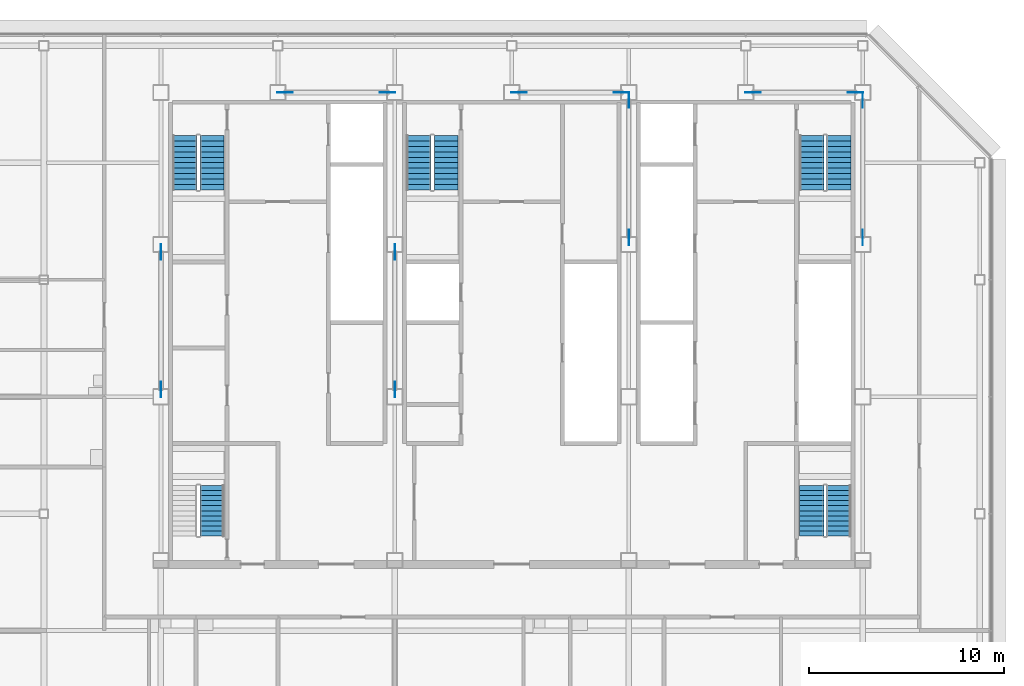
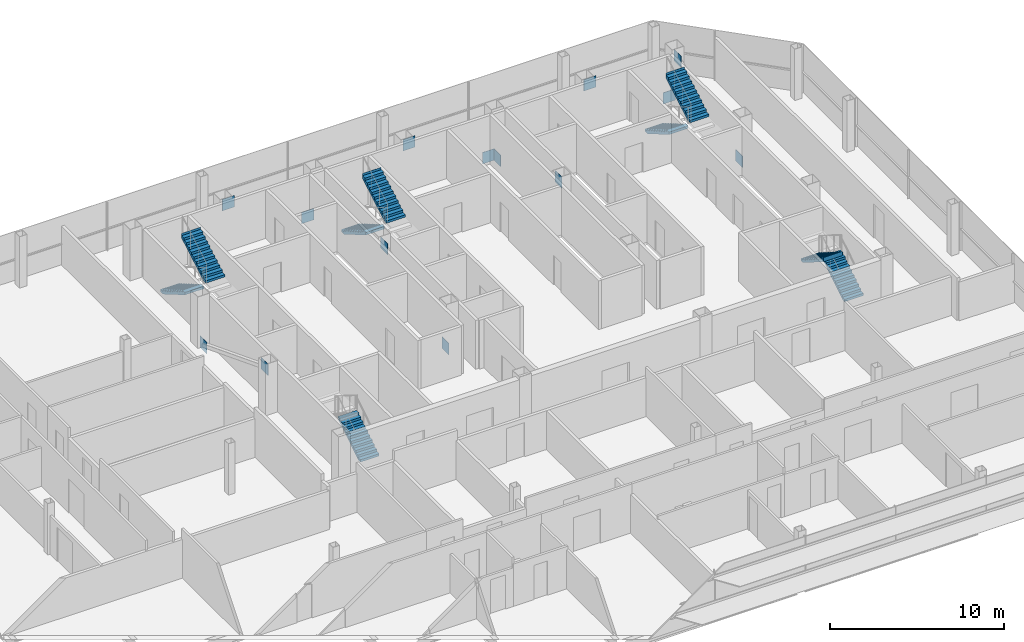
# One storey, part 25 of 27: 14 discrete accessories, 9 stair flights, 5 elements without a shape of their own.
"""IFC4 building model written with IfcOpenShell, lengths in metres."""

from ifc_helpers import new_model, si_unit, direction, frame, origin, origin_2d, place, context, subcontext, project, spatial, polyline, rectangle, outline, extrude, material, layer, layer_set, type_object, element, aggregate, save


model = new_model("IFC4")

# Units and contexts
model_context = context("Model", 3, precision=1e-05, world=origin(), true_north=direction((0.0, 1.0)))
body_context = subcontext(model_context, "Body", "Model", "MODEL_VIEW")
ifc_project = project(units=[si_unit("LENGTHUNIT", "METRE"), si_unit("AREAUNIT", "SQUARE_METRE"), si_unit("VOLUMEUNIT", "CUBIC_METRE"), si_unit("PLANEANGLEUNIT", "RADIAN"), si_unit("MASSUNIT", "GRAM", prefix="KILO")], contexts=[model_context])

# Site, building, storey
site_placement = place(None, origin())
site = spatial("IfcSite", under=ifc_project, at=site_placement, CompositionType="ELEMENT")
building_placement = place(site_placement, origin())
building = spatial("IfcBuilding", under=site, at=building_placement, Name="Sorahane Residences", CompositionType="ELEMENT")
storey_placement = place(building_placement, frame((0.0, 0.0, 323.199951171875)))
storey = spatial("IfcBuildingStorey", under=building, at=storey_placement, Name="L77", CompositionType="ELEMENT", Elevation=323.199951171875)

# Stair, stair flights
ifc_material_1 = material(Name="Concrete C40", Category="concrete")
stair_type = type_object("IfcStairType", Name="Dog-leg stair 1250 Concrete C40", PredefinedType="HALF_TURN_STAIR", material=ifc_material_1)
stair_1_placement = place(storey_placement, origin())
stair_1 = element("IfcStair", 1, at=stair_1_placement, inside=storey, type_object=stair_type, Name="L77 Stair S1", PredefinedType="HALF_TURN_STAIR")
ifc_material_2 = material(Name="Concrete C40", Category="concrete")
stair_flight_type = type_object("IfcStairFlightType", Name="Stair flight 1250 Concrete C40", PredefinedType="STRAIGHT", material=ifc_material_2)
stair_flight_1_placement = place(storey_placement, frame((7.22509765625, 43.39990234375, 0.0), z_axis=(0.0, 0.0, 1.0), x_axis=(0.0, -1.0, 0.0)))
stair_flight_1 = element("IfcStairFlight", 2, at=stair_flight_1_placement, type_object=stair_flight_type, Name="S1 flight 1", NumberOfRisers=11, NumberOfTreads=10, PredefinedType="STRAIGHT", RiserHeight=0.163636364, TreadLength=0.28, context=body_context, shape_type="SweptSolid", body=[
    extrude(outline(polyline([(-0.00146484375, 0.0), (-0.00146484375, 0.16357421875), (0.0, 0.16357421875), (0.280029296875, 0.16357421875), (0.280029296875, 0.327392578125), (0.56005859375, 0.327392578125), (0.56005859375, 0.490966796875), (0.840087890625, 0.490966796875), (0.840087890625, 0.654541015625), (1.1201171875, 0.654541015625), (1.1201171875, 0.818115234375), (1.39990234375, 0.818115234375), (1.39990234375, 0.98193359375), (1.679931640625, 0.98193359375), (1.679931640625, 1.1455078125), (1.9599609375, 1.1455078125), (1.9599609375, 1.30908203125), (2.239990234375, 1.30908203125), (2.239990234375, 1.47265625), (2.52001953125, 1.47265625), (2.52001953125, 1.636474609375), (2.800048828125, 1.636474609375), (2.800048828125, 1.800048828125), (2.800048828125, 1.462646484375), (2.59130859375, 1.3408203125), (2.3828125, 1.218994140625), (2.17431640625, 1.09716796875), (1.965576171875, 0.97509765625), (1.757080078125, 0.853271484375), (1.548583984375, 0.7314453125), (1.340087890625, 0.609375), (1.13134765625, 0.487548828125), (0.9228515625, 0.36572265625), (0.71435546875, 0.243896484375), (0.505615234375, 0.121826171875), (0.297119140625, 0.0), (-0.00146484375, 0.0)])), frame((0.0, 0.625, 0.0), z_axis=(0.0, -1.0, 0.0), x_axis=(1.0, 0.0, 0.0)), (0.0, 0.0, 1.0), 1.25),
])
stair_flight_2_placement = place(storey_placement, frame((8.625, 40.60009765625, 1.800048828125), z_axis=(0.0, 0.0, 1.0), x_axis=(0.0, 1.0, 0.0)))
stair_flight_2 = element("IfcStairFlight", 3, at=stair_flight_2_placement, type_object=stair_flight_type, Name="S1 flight 2", NumberOfRisers=11, NumberOfTreads=10, PredefinedType="STRAIGHT", RiserHeight=0.163636364, TreadLength=0.28, context=body_context, shape_type="SweptSolid", body=[
    extrude(outline(polyline([(0.0, 0.0), (0.0, 0.16357421875), (0.280029296875, 0.16357421875), (0.280029296875, 0.327392578125), (0.56005859375, 0.327392578125), (0.56005859375, 0.490966796875), (0.840087890625, 0.490966796875), (0.840087890625, 0.654541015625), (1.1201171875, 0.654541015625), (1.1201171875, 0.818115234375), (1.39990234375, 0.818115234375), (1.39990234375, 0.98193359375), (1.679931640625, 0.98193359375), (1.679931640625, 1.1455078125), (1.9599609375, 1.1455078125), (1.9599609375, 1.30908203125), (2.239990234375, 1.30908203125), (2.239990234375, 1.47265625), (2.52001953125, 1.47265625), (2.52001953125, 1.636474609375), (2.800048828125, 1.636474609375), (2.800048828125, 1.800048828125), (2.801513671875, 1.800048828125), (2.801513671875, 1.462646484375), (2.5927734375, 1.3408203125), (2.384033203125, 1.218994140625), (2.17529296875, 1.09716796875), (1.966796875, 0.97509765625), (1.758056640625, 0.853271484375), (1.54931640625, 0.7314453125), (1.340576171875, 0.609375), (1.1318359375, 0.487548828125), (0.923095703125, 0.36572265625), (0.714599609375, 0.243896484375), (0.505859375, 0.121826171875), (0.297119140625, 0.0), (0.0, 0.0)])), frame((0.0, 0.625, 0.0), z_axis=(0.0, -1.0, 0.0), x_axis=(1.0, 0.0, 0.0)), (0.0, 0.0, 1.0), 1.25),
])
aggregate(stair_1, [stair_flight_1, stair_flight_2])

stair_2_placement = place(storey_placement, origin())
stair_2 = element("IfcStair", 4, at=stair_2_placement, inside=storey, type_object=stair_type, Name="L77 Stair S2", PredefinedType="HALF_TURN_STAIR")
stair_flight_3_placement = place(storey_placement, frame((39.375, 43.39990234375, 0.0), z_axis=(0.0, 0.0, 1.0), x_axis=(0.0, -1.0, 0.0)))
stair_flight_3 = element("IfcStairFlight", 5, at=stair_flight_3_placement, type_object=stair_flight_type, Name="S2 flight 1", NumberOfRisers=11, NumberOfTreads=10, PredefinedType="STRAIGHT", RiserHeight=0.163636364, TreadLength=0.28, context=body_context, shape_type="SweptSolid", body=[
    extrude(outline(polyline([(-0.00146484375, 0.0), (-0.00146484375, 0.16357421875), (0.0, 0.16357421875), (0.280029296875, 0.16357421875), (0.280029296875, 0.327392578125), (0.56005859375, 0.327392578125), (0.56005859375, 0.490966796875), (0.840087890625, 0.490966796875), (0.840087890625, 0.654541015625), (1.1201171875, 0.654541015625), (1.1201171875, 0.818115234375), (1.39990234375, 0.818115234375), (1.39990234375, 0.98193359375), (1.679931640625, 0.98193359375), (1.679931640625, 1.1455078125), (1.9599609375, 1.1455078125), (1.9599609375, 1.30908203125), (2.239990234375, 1.30908203125), (2.239990234375, 1.47265625), (2.52001953125, 1.47265625), (2.52001953125, 1.636474609375), (2.800048828125, 1.636474609375), (2.800048828125, 1.800048828125), (2.800048828125, 1.462646484375), (2.59130859375, 1.3408203125), (2.3828125, 1.218994140625), (2.17431640625, 1.09716796875), (1.965576171875, 0.97509765625), (1.757080078125, 0.853271484375), (1.548583984375, 0.7314453125), (1.340087890625, 0.609375), (1.13134765625, 0.487548828125), (0.9228515625, 0.36572265625), (0.71435546875, 0.243896484375), (0.505615234375, 0.121826171875), (0.297119140625, 0.0), (-0.00146484375, 0.0)])), frame((0.0, 0.625, 0.0), z_axis=(0.0, -1.0, 0.0), x_axis=(1.0, 0.0, 0.0)), (0.0, 0.0, 1.0), 1.25),
])
stair_flight_4_placement = place(storey_placement, frame((40.77490234375, 40.60009765625, 1.800048828125), z_axis=(0.0, 0.0, 1.0), x_axis=(0.0, 1.0, 0.0)))
stair_flight_4 = element("IfcStairFlight", 6, at=stair_flight_4_placement, type_object=stair_flight_type, Name="S2 flight 2", NumberOfRisers=11, NumberOfTreads=10, PredefinedType="STRAIGHT", RiserHeight=0.163636364, TreadLength=0.28, context=body_context, shape_type="SweptSolid", body=[
    extrude(outline(polyline([(0.0, 0.0), (0.0, 0.16357421875), (0.280029296875, 0.16357421875), (0.280029296875, 0.327392578125), (0.56005859375, 0.327392578125), (0.56005859375, 0.490966796875), (0.840087890625, 0.490966796875), (0.840087890625, 0.654541015625), (1.1201171875, 0.654541015625), (1.1201171875, 0.818115234375), (1.39990234375, 0.818115234375), (1.39990234375, 0.98193359375), (1.679931640625, 0.98193359375), (1.679931640625, 1.1455078125), (1.9599609375, 1.1455078125), (1.9599609375, 1.30908203125), (2.239990234375, 1.30908203125), (2.239990234375, 1.47265625), (2.52001953125, 1.47265625), (2.52001953125, 1.636474609375), (2.800048828125, 1.636474609375), (2.800048828125, 1.800048828125), (2.801513671875, 1.800048828125), (2.801513671875, 1.462646484375), (2.5927734375, 1.3408203125), (2.384033203125, 1.218994140625), (2.17529296875, 1.09716796875), (1.966796875, 0.97509765625), (1.758056640625, 0.853271484375), (1.54931640625, 0.7314453125), (1.340576171875, 0.609375), (1.1318359375, 0.487548828125), (0.923095703125, 0.36572265625), (0.714599609375, 0.243896484375), (0.505859375, 0.121826171875), (0.297119140625, 0.0), (0.0, 0.0)])), frame((0.0, 0.625, 0.0), z_axis=(0.0, -1.0, 0.0), x_axis=(1.0, 0.0, 0.0)), (0.0, 0.0, 1.0), 1.25),
])
aggregate(stair_2, [stair_flight_3, stair_flight_4])

stair_3_placement = place(storey_placement, origin())
stair_3 = element("IfcStair", 7, at=stair_3_placement, inside=storey, type_object=stair_type, Name="L77 Stair S3", PredefinedType="HALF_TURN_STAIR")
stair_flight_5_placement = place(storey_placement, frame((19.22509765625, 43.39990234375, 0.0), z_axis=(0.0, 0.0, 1.0), x_axis=(0.0, -1.0, 0.0)))
stair_flight_5 = element("IfcStairFlight", 8, at=stair_flight_5_placement, type_object=stair_flight_type, Name="S3 flight 1", NumberOfRisers=11, NumberOfTreads=10, PredefinedType="STRAIGHT", RiserHeight=0.163636364, TreadLength=0.28, context=body_context, shape_type="SweptSolid", body=[
    extrude(outline(polyline([(-0.00146484375, 0.0), (-0.00146484375, 0.16357421875), (0.0, 0.16357421875), (0.280029296875, 0.16357421875), (0.280029296875, 0.327392578125), (0.56005859375, 0.327392578125), (0.56005859375, 0.490966796875), (0.840087890625, 0.490966796875), (0.840087890625, 0.654541015625), (1.1201171875, 0.654541015625), (1.1201171875, 0.818115234375), (1.39990234375, 0.818115234375), (1.39990234375, 0.98193359375), (1.679931640625, 0.98193359375), (1.679931640625, 1.1455078125), (1.9599609375, 1.1455078125), (1.9599609375, 1.30908203125), (2.239990234375, 1.30908203125), (2.239990234375, 1.47265625), (2.52001953125, 1.47265625), (2.52001953125, 1.636474609375), (2.800048828125, 1.636474609375), (2.800048828125, 1.800048828125), (2.800048828125, 1.462646484375), (2.59130859375, 1.3408203125), (2.3828125, 1.218994140625), (2.17431640625, 1.09716796875), (1.965576171875, 0.97509765625), (1.757080078125, 0.853271484375), (1.548583984375, 0.7314453125), (1.340087890625, 0.609375), (1.13134765625, 0.487548828125), (0.9228515625, 0.36572265625), (0.71435546875, 0.243896484375), (0.505615234375, 0.121826171875), (0.297119140625, 0.0), (-0.00146484375, 0.0)])), frame((0.0, 0.625, 0.0), z_axis=(0.0, -1.0, 0.0), x_axis=(1.0, 0.0, 0.0)), (0.0, 0.0, 1.0), 1.25),
])
stair_flight_6_placement = place(storey_placement, frame((20.625, 40.60009765625, 1.800048828125), z_axis=(0.0, 0.0, 1.0), x_axis=(0.0, 1.0, 0.0)))
stair_flight_6 = element("IfcStairFlight", 9, at=stair_flight_6_placement, type_object=stair_flight_type, Name="S3 flight 2", NumberOfRisers=11, NumberOfTreads=10, PredefinedType="STRAIGHT", RiserHeight=0.163636364, TreadLength=0.28, context=body_context, shape_type="SweptSolid", body=[
    extrude(outline(polyline([(0.0, 0.0), (0.0, 0.16357421875), (0.280029296875, 0.16357421875), (0.280029296875, 0.327392578125), (0.56005859375, 0.327392578125), (0.56005859375, 0.490966796875), (0.840087890625, 0.490966796875), (0.840087890625, 0.654541015625), (1.1201171875, 0.654541015625), (1.1201171875, 0.818115234375), (1.39990234375, 0.818115234375), (1.39990234375, 0.98193359375), (1.679931640625, 0.98193359375), (1.679931640625, 1.1455078125), (1.9599609375, 1.1455078125), (1.9599609375, 1.30908203125), (2.239990234375, 1.30908203125), (2.239990234375, 1.47265625), (2.52001953125, 1.47265625), (2.52001953125, 1.636474609375), (2.800048828125, 1.636474609375), (2.800048828125, 1.800048828125), (2.801513671875, 1.800048828125), (2.801513671875, 1.462646484375), (2.5927734375, 1.3408203125), (2.384033203125, 1.218994140625), (2.17529296875, 1.09716796875), (1.966796875, 0.97509765625), (1.758056640625, 0.853271484375), (1.54931640625, 0.7314453125), (1.340576171875, 0.609375), (1.1318359375, 0.487548828125), (0.923095703125, 0.36572265625), (0.714599609375, 0.243896484375), (0.505859375, 0.121826171875), (0.297119140625, 0.0), (0.0, 0.0)])), frame((0.0, 0.625, 0.0), z_axis=(0.0, -1.0, 0.0), x_axis=(1.0, 0.0, 0.0)), (0.0, 0.0, 1.0), 1.25),
])
aggregate(stair_3, [stair_flight_5, stair_flight_6])

# Stair, stair flight
stair_4_placement = place(storey_placement, origin())
stair_4 = element("IfcStair", 10, at=stair_4_placement, inside=storey, type_object=stair_type, Name="L77 Stair S4", PredefinedType="HALF_TURN_STAIR")
stair_flight_7_placement = place(storey_placement, frame((8.625, 22.85009765625, 0.0), z_axis=(0.0, 0.0, 1.0), x_axis=(0.0, 1.0, 0.0)))
stair_flight_7 = element("IfcStairFlight", 11, at=stair_flight_7_placement, type_object=stair_flight_type, Name="S4 flight 1", NumberOfRisers=11, NumberOfTreads=10, PredefinedType="STRAIGHT", RiserHeight=0.163636364, TreadLength=0.26, context=body_context, shape_type="SweptSolid", body=[
    extrude(outline(polyline([(-0.00146484375, 0.0), (-0.00146484375, 0.16357421875), (0.0, 0.16357421875), (0.260009765625, 0.16357421875), (0.260009765625, 0.327392578125), (0.52001953125, 0.327392578125), (0.52001953125, 0.490966796875), (0.780029296875, 0.490966796875), (0.780029296875, 0.654541015625), (1.0400390625, 0.654541015625), (1.0400390625, 0.818115234375), (1.300048828125, 0.818115234375), (1.300048828125, 0.98193359375), (1.56005859375, 0.98193359375), (1.56005859375, 1.1455078125), (1.820068359375, 1.1455078125), (1.820068359375, 1.30908203125), (2.080078125, 1.30908203125), (2.080078125, 1.47265625), (2.340087890625, 1.47265625), (2.340087890625, 1.636474609375), (2.60009765625, 1.636474609375), (2.60009765625, 1.800048828125), (2.60009765625, 1.494384765625), (2.402099609375, 1.369873046875), (2.204345703125, 1.245361328125), (2.00634765625, 1.120849609375), (1.80859375, 0.996337890625), (1.610595703125, 0.871826171875), (1.412841796875, 0.747314453125), (1.21484375, 0.622802734375), (1.01708984375, 0.498046875), (0.819091796875, 0.37353515625), (0.621337890625, 0.2490234375), (0.42333984375, 0.12451171875), (0.2255859375, 0.0), (-0.00146484375, 0.0)])), frame((0.0, 0.625, 0.0), z_axis=(0.0, -1.0, 0.0), x_axis=(1.0, 0.0, 0.0)), (0.0, 0.0, 1.0), 1.25),
])
aggregate(stair_4, [stair_flight_7])

# Stair, stair flights
stair_5_placement = place(storey_placement, origin())
stair_5 = element("IfcStair", 12, at=stair_5_placement, inside=storey, type_object=stair_type, Name="L77 Stair S5", PredefinedType="HALF_TURN_STAIR")
stair_flight_8_placement = place(storey_placement, frame((40.77490234375, 22.85009765625, 0.0), z_axis=(0.0, 0.0, 1.0), x_axis=(0.0, 1.0, 0.0)))
stair_flight_8 = element("IfcStairFlight", 13, at=stair_flight_8_placement, type_object=stair_flight_type, Name="S5 flight 1", NumberOfRisers=11, NumberOfTreads=10, PredefinedType="STRAIGHT", RiserHeight=0.163636364, TreadLength=0.26, context=body_context, shape_type="SweptSolid", body=[
    extrude(outline(polyline([(-0.00146484375, 0.0), (-0.00146484375, 0.16357421875), (0.0, 0.16357421875), (0.260009765625, 0.16357421875), (0.260009765625, 0.327392578125), (0.52001953125, 0.327392578125), (0.52001953125, 0.490966796875), (0.780029296875, 0.490966796875), (0.780029296875, 0.654541015625), (1.0400390625, 0.654541015625), (1.0400390625, 0.818115234375), (1.300048828125, 0.818115234375), (1.300048828125, 0.98193359375), (1.56005859375, 0.98193359375), (1.56005859375, 1.1455078125), (1.820068359375, 1.1455078125), (1.820068359375, 1.30908203125), (2.080078125, 1.30908203125), (2.080078125, 1.47265625), (2.340087890625, 1.47265625), (2.340087890625, 1.636474609375), (2.60009765625, 1.636474609375), (2.60009765625, 1.800048828125), (2.60009765625, 1.494384765625), (2.402099609375, 1.369873046875), (2.204345703125, 1.245361328125), (2.00634765625, 1.120849609375), (1.80859375, 0.996337890625), (1.610595703125, 0.871826171875), (1.412841796875, 0.747314453125), (1.21484375, 0.622802734375), (1.01708984375, 0.498046875), (0.819091796875, 0.37353515625), (0.621337890625, 0.2490234375), (0.42333984375, 0.12451171875), (0.2255859375, 0.0), (-0.00146484375, 0.0)])), frame((0.0, 0.625, 0.0), z_axis=(0.0, -1.0, 0.0), x_axis=(1.0, 0.0, 0.0)), (0.0, 0.0, 1.0), 1.25),
])
stair_flight_9_placement = place(storey_placement, frame((39.375, 25.449951171875, 1.800048828125), z_axis=(0.0, 0.0, 1.0), x_axis=(0.0, -1.0, 0.0)))
stair_flight_9 = element("IfcStairFlight", 14, at=stair_flight_9_placement, type_object=stair_flight_type, Name="S5 flight 2", NumberOfRisers=11, NumberOfTreads=10, PredefinedType="STRAIGHT", RiserHeight=0.163636364, TreadLength=0.26, context=body_context, shape_type="SweptSolid", body=[
    extrude(outline(polyline([(0.0, 0.0), (0.0, 0.16357421875), (0.260009765625, 0.16357421875), (0.260009765625, 0.327392578125), (0.52001953125, 0.327392578125), (0.52001953125, 0.490966796875), (0.780029296875, 0.490966796875), (0.780029296875, 0.654541015625), (1.0400390625, 0.654541015625), (1.0400390625, 0.818115234375), (1.300048828125, 0.818115234375), (1.300048828125, 0.98193359375), (1.56005859375, 0.98193359375), (1.56005859375, 1.1455078125), (1.820068359375, 1.1455078125), (1.820068359375, 1.30908203125), (2.080078125, 1.30908203125), (2.080078125, 1.47265625), (2.340087890625, 1.47265625), (2.340087890625, 1.636474609375), (2.60009765625, 1.636474609375), (2.60009765625, 1.800048828125), (2.6015625, 1.800048828125), (2.6015625, 1.494384765625), (2.403564453125, 1.369873046875), (2.20556640625, 1.245361328125), (2.007568359375, 1.120849609375), (1.8095703125, 0.996337890625), (1.611572265625, 0.871826171875), (1.41357421875, 0.747314453125), (1.215576171875, 0.622802734375), (1.017578125, 0.498046875), (0.819580078125, 0.37353515625), (0.62158203125, 0.2490234375), (0.423583984375, 0.12451171875), (0.2255859375, 0.0), (0.0, 0.0)])), frame((0.0, 0.625, 0.0), z_axis=(0.0, -1.0, 0.0), x_axis=(1.0, 0.0, 0.0)), (0.0, 0.0, 1.0), 1.25),
])
aggregate(stair_5, [stair_flight_8, stair_flight_9])

# Discrete accessories
ifc_material_3 = material(Name="Steel Q355B", Category="steel")
ifc_layer = layer(ifc_material_3, 0.02490234375)
ifc_layer_set = layer_set([ifc_layer], Name="Node plate Steel Q355B 25")
discrete_accessory_type = type_object("IfcDiscreteAccessoryType", Name="Node plate Steel Q355B 25", PredefinedType="BRACKET", material=ifc_layer_set)
for number, where, z_axis, x_axis, name in (
    (15, (6.0, 37.42724609375, -0.28564453125), (0.0, 0.0, 1.0), (0.0, 1.0, 0.0), "Node plate L77 br"),
    (16, (6.0, 30.372802734375, 2.45556640625), (0.0, 0.0, 1.0), (0.0, 1.0, 0.0), "Node plate L77 br"),
    (17, (18.0, 30.372802734375, -0.28564453125), (0.0, 0.0, 1.0), (0.0, 1.0, 0.0), "Node plate L77 br"),
    (18, (18.0, 37.42724609375, 2.45556640625), (0.0, 0.0, 1.0), (0.0, 1.0, 0.0), "Node plate L77 br"),
    (19, (30.0, 45.227294921875, -0.28564453125), (0.0, 0.0, 1.0), (0.0, 1.0, 0.0), "Node plate L77 br"),
    (20, (30.0, 38.1728515625, 2.45556640625), (0.0, 0.0, 1.0), (0.0, 1.0, 0.0), "Node plate L77 br"),
    (21, (42.0, 38.1728515625, -0.28564453125), (0.0, 0.0, 1.0), (0.0, 1.0, 0.0), "Node plate L77 br"),
    (22, (42.0, 45.227294921875, 2.45556640625), (0.0, 0.0, 1.0), (0.0, 1.0, 0.0), "Node plate L77 br"),
    (23, (17.634765625, 45.60009765625, -0.29296875), (0.0, 0.0, 1.0), (1.0, 0.0, 0.0), "Node plate L77 br"),
    (24, (29.634765625, 45.60009765625, -0.29296875), (0.0, 0.0, 1.0), (1.0, 0.0, 0.0), "Node plate L77 br"),
    (25, (41.634765625, 45.60009765625, -0.29296875), (0.0, 0.0, 1.0), (1.0, 0.0, 0.0), "Node plate L77 br"),
    (26, (12.365234375, 45.60009765625, 2.46337890625), (0.0, 0.0, 1.0), (1.0, 0.0, 0.0), "Node plate L77 br"),
    (27, (24.365234375, 45.60009765625, 2.46337890625), (0.0, 0.0, 1.0), (1.0, 0.0, 0.0), "Node plate L77 br"),
    (28, (36.365234375, 45.60009765625, 2.46337890625), (0.0, 0.0, 1.0), (1.0, 0.0, 0.0), "Node plate L77 br"),
):
    element("IfcDiscreteAccessory", number, at=place(storey_placement, frame(where, z_axis=z_axis, x_axis=x_axis)), inside=storey, type_object=discrete_accessory_type, Name=name, PredefinedType="BRACKET", context=body_context, shape_type="SweptSolid", body=[
        extrude(rectangle(XDim=0.800048828125, YDim=0.02490234375, at=origin_2d()), origin(), (0.0, 0.0, 1.0), 0.800048828125),
    ])

save(model, "model.ifc")
